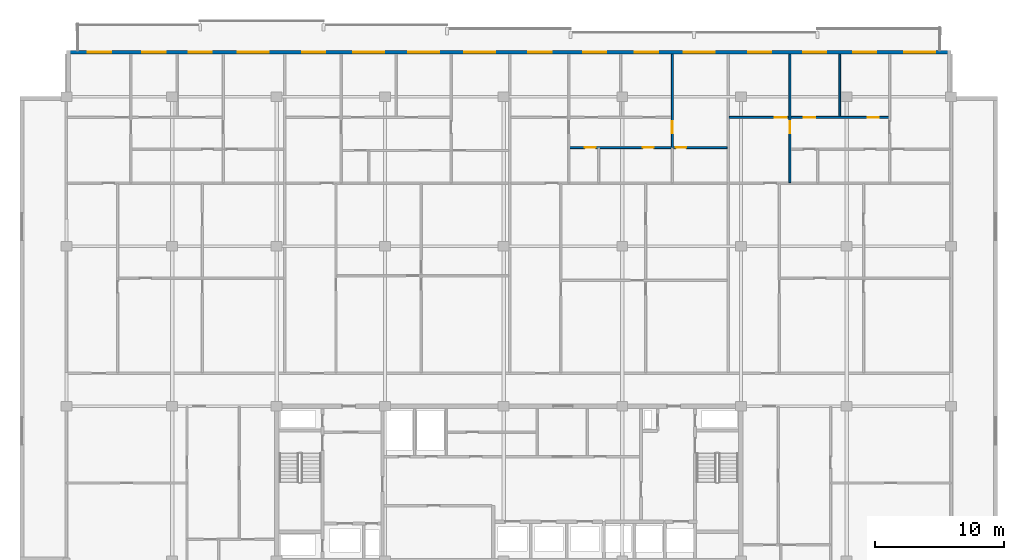
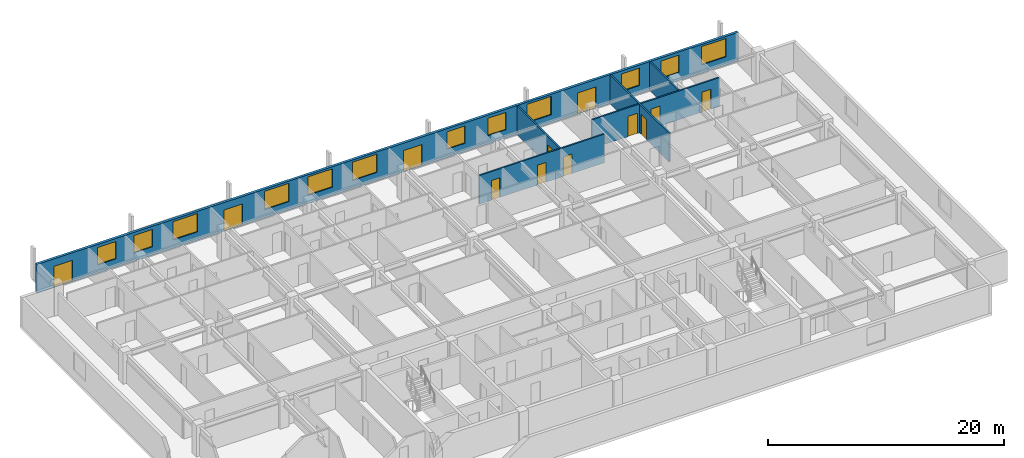
# One storey, part 16 of 23: 12 doors, 12 windows, 6 walls, 24 openings.
"""IFC4 building model written with IfcOpenShell, lengths in metres."""

import ifcopenshell
import ifcopenshell.guid

model = None  # the IFC model being written
_history = None  # IfcOwnerHistory: only IFC2X3 demands one
_inside = {}  # id of a spatial element -> (the spatial element, [elements in it])
_under = {}  # id of a project, library or spatial element -> (it, [spatial elements below it])
_declared = {}  # id of a project -> (the project, [libraries it declares])
_typed = {}  # id of a type object -> (the type object, [elements of that type])
_made_of = {}  # id of a material, layer set ... -> (it, [elements and type objects made of it])


def new_model(schema):
    """Start an empty IFC model of exactly this schema.

    Asked for "IFC4X3", IfcOpenShell would pick the latest addendum, in which some entities
    have other attributes; the version numbers below select the first issue.
    IFC2X3 requires an IfcOwnerHistory on every rooted entity: one is made here for all.
    """
    global model, _history
    if schema == "IFC4X3":
        model = ifcopenshell.file(schema_version=(4, 3, 0, 0))
    else:
        model = ifcopenshell.file(schema=schema)
    _inside.clear()
    _under.clear()
    _declared.clear()
    _typed.clear()
    _made_of.clear()
    _history = None
    if model.schema == "IFC2X3":
        org = make("IfcOrganization", Name="unknown")
        user = make(
            "IfcPersonAndOrganization",
            ThePerson=make("IfcPerson", FamilyName="unknown"),
            TheOrganization=org,
        )
        app = make(
            "IfcApplication",
            ApplicationDeveloper=org,
            Version="unknown",
            ApplicationFullName="unknown",
            ApplicationIdentifier="unknown",
        )
        _history = make(
            "IfcOwnerHistory",
            OwningUser=user,
            OwningApplication=app,
            ChangeAction="ADDED",
            CreationDate=0,
        )
    return model


def make(cls, **values):
    """One entity of the class cls with the attributes given. An attribute that is None is left unset."""
    return model.create_entity(
        cls, **{name: value for name, value in values.items() if value is not None}
    )


def rooted(cls, **values):
    """An entity with a GlobalId (a new one), such as an element, a storey or a relation."""
    return make(cls, GlobalId=ifcopenshell.guid.new(), OwnerHistory=_history, **values)


def si_unit(unit_type, name, prefix=None):
    """IfcSIUnit, for example si_unit("LENGTHUNIT", "METRE", prefix="MILLI")."""
    return make("IfcSIUnit", UnitType=unit_type, Prefix=prefix, Name=name)


def assignment(units):
    """IfcUnitAssignment: the units of a project."""
    return None if units is None else make("IfcUnitAssignment", Units=units)


def point(xyz):
    """IfcCartesianPoint."""
    return None if xyz is None else make("IfcCartesianPoint", Coordinates=xyz)


def direction(xyz):
    """IfcDirection."""
    return None if xyz is None else make("IfcDirection", DirectionRatios=xyz)


def frame(location, z_axis=None, x_axis=None):
    """IfcAxis2Placement3D, a coordinate frame: its origin and axes. An axis left out is left unset."""
    return make(
        "IfcAxis2Placement3D",
        Location=point(location),
        Axis=direction(z_axis),
        RefDirection=direction(x_axis),
    )


def frame_2d(location, x_axis=None):
    """IfcAxis2Placement2D, a coordinate frame in the plane: its origin and x axis."""
    return make(
        "IfcAxis2Placement2D", Location=point(location), RefDirection=direction(x_axis)
    )


def origin():
    """The frame at (0, 0, 0) with its axes left unset."""
    return frame((0.0, 0.0, 0.0))


def place(relative_to, where):
    """IfcLocalPlacement: puts the frame where relative to a parent placement (None: the world)."""
    return make(
        "IfcLocalPlacement", PlacementRelTo=relative_to, RelativePlacement=where
    )


def context(
    kind, dimensions, precision=None, world=None, true_north=None, identifier=None
):
    """IfcGeometricRepresentationContext, for example the 3D "Model" context."""
    return make(
        "IfcGeometricRepresentationContext",
        ContextIdentifier=identifier,
        ContextType=kind,
        CoordinateSpaceDimension=dimensions,
        Precision=precision,
        WorldCoordinateSystem=world,
        TrueNorth=true_north,
    )


def subcontext(parent, identifier, kind, view, scale=None):
    """IfcGeometricRepresentationSubContext, for example "Body" below "Model"."""
    return make(
        "IfcGeometricRepresentationSubContext",
        ContextIdentifier=identifier,
        ContextType=kind,
        ParentContext=parent,
        TargetScale=scale,
        TargetView=view,
    )


def project(units=None, contexts=None):
    """IfcProject with its units and contexts."""
    return rooted(
        "IfcProject",
        Name="project",
        RepresentationContexts=contexts,
        UnitsInContext=assignment(units),
    )


def spatial(cls, under=None, at=None, **own):
    """A site, building, storey or space (cls), placed at a placement, below another one or the project."""
    s = rooted(cls, ObjectPlacement=at, **own)
    if under is not None:
        _under.setdefault(under.id(), (under, []))[1].append(s)
    return s


def profile(cls, at=None, kind="AREA", **sizes):
    """A parametric profile (cls). Its sizes go by their IFC names, for example OverallWidth=200.0."""
    return make(cls, ProfileType=kind, Position=at, **sizes)


def rectangle(**sizes):
    """IfcRectangleProfileDef."""
    return profile("IfcRectangleProfileDef", **sizes)


def extrude(swept, where, along, depth):
    """IfcExtrudedAreaSolid: the profile swept, set in the frame where, extruded along a direction by depth."""
    return make(
        "IfcExtrudedAreaSolid",
        SweptArea=swept,
        Position=where,
        ExtrudedDirection=direction(along),
        Depth=depth,
    )


def shape(context_of_items, identifier, shape_type, items):
    """IfcShapeRepresentation: the items that make up one representation, for example the "Body"."""
    return make(
        "IfcShapeRepresentation",
        ContextOfItems=context_of_items,
        RepresentationIdentifier=identifier,
        RepresentationType=shape_type,
        Items=items,
    )


def material(Name=None, Category=None):
    """IfcMaterial."""
    return make("IfcMaterial", Name=Name, Category=Category)


def layer(
    of_material, thickness, ventilated=None, Name=None, Category=None, Priority=None
):
    """IfcMaterialLayer: one layer of a wall or slab, of a material (None: an air gap)."""
    return make(
        "IfcMaterialLayer",
        Material=of_material,
        LayerThickness=thickness,
        IsVentilated=ventilated,
        Name=Name,
        Category=Category,
        Priority=Priority,
    )


def layer_set(layers, Name=None):
    """IfcMaterialLayerSet."""
    return make("IfcMaterialLayerSet", MaterialLayers=layers, LayerSetName=Name)


def made_of(thing, what):
    """Note that an element or type object is made of a material, layer set ...; save() writes the relation."""
    if what is not None:
        _made_of.setdefault(what.id(), (what, []))[1].append(thing)
    return thing


def type_object(cls, material=None, **own):
    """A type object (cls), such as IfcWallType, which elements share."""
    return made_of(rooted(cls, **own), material)


def element(
    cls,
    number,
    at=None,
    inside=None,
    cuts=None,
    type_object=None,
    material=None,
    context=None,
    identifier="Body",
    shape_type=None,
    held_by="IfcProductDefinitionShape",
    body=None,
    shapes=None,
    **own,
):
    """One element of the class cls, such as IfcWall. Its Tag is "e" and its number.

    at: its placement. inside: the storey or other place that contains it. cuts: it is an
    opening in that element (IfcRelVoidsElement). A single representation is given by context,
    identifier, shape_type and body (its items); several are given by shapes. held_by: the class
    of the entity that holds the representations. save() writes the other relations.
    """
    e = rooted(cls, Tag="e%d" % number, ObjectPlacement=at, **own)
    if body is not None:
        shapes = [shape(context, identifier, shape_type, body)]
    if shapes is not None:
        e.Representation = make(held_by, Representations=shapes)
    if inside is not None:
        _inside.setdefault(inside.id(), (inside, []))[1].append(e)
    if cuts is not None:
        rooted(
            "IfcRelVoidsElement", RelatingBuildingElement=cuts, RelatedOpeningElement=e
        )
    if type_object is not None:
        _typed.setdefault(type_object.id(), (type_object, []))[1].append(e)
    return made_of(e, material)


def fill(opening, filler):
    """IfcRelFillsElement: the door or window that sits in an opening."""
    return rooted(
        "IfcRelFillsElement",
        RelatingOpeningElement=opening,
        RelatedBuildingElement=filler,
    )


def aggregate(whole, parts):
    """IfcRelAggregates: a whole, such as a stair, and the parts it consists of."""
    return rooted("IfcRelAggregates", RelatingObject=whole, RelatedObjects=parts)


def save(model, path):
    """Write the relations noted so far, then the file.

    IfcRelAggregates (storeys below a building ...), IfcRelContainedInSpatialStructure (elements
    in a storey), IfcRelDefinesByType, IfcRelAssociatesMaterial and IfcRelDeclares: one each for
    every whole, place, type object, material and project.
    """
    for whole, parts in _under.values():
        aggregate(whole, parts)
    for where, things in _inside.values():
        rooted(
            "IfcRelContainedInSpatialStructure",
            RelatedElements=things,
            RelatingStructure=where,
        )
    for kind, things in _typed.values():
        rooted("IfcRelDefinesByType", RelatedObjects=things, RelatingType=kind)
    for what, things in _made_of.values():
        rooted("IfcRelAssociatesMaterial", RelatedObjects=things, RelatingMaterial=what)
    for by, libraries in _declared.values():
        rooted("IfcRelDeclares", RelatingContext=by, RelatedDefinitions=libraries)
    model.write(path)


model = new_model("IFC4")

# Units and contexts
model_context = context("Model", 3, precision=1e-05, world=origin(), true_north=direction((0.0, 1.0)))
body_context = subcontext(model_context, "Body", "Model", "MODEL_VIEW")
ifc_project = project(units=[si_unit("LENGTHUNIT", "METRE"), si_unit("AREAUNIT", "SQUARE_METRE"), si_unit("VOLUMEUNIT", "CUBIC_METRE"), si_unit("PLANEANGLEUNIT", "RADIAN"), si_unit("MASSUNIT", "GRAM", prefix="KILO")], contexts=[model_context])

# Site, building, storey
site_placement = place(None, origin())
site = spatial("IfcSite", under=ifc_project, at=site_placement, CompositionType="ELEMENT")
building_placement = place(site_placement, origin())
building = spatial("IfcBuilding", under=site, at=building_placement, Name="Korimba Cascade Residences", CompositionType="ELEMENT")
storey_placement = place(building_placement, frame((0.0, 0.0, 165.35009765625)))
storey = spatial("IfcBuildingStorey", under=building, at=storey_placement, Name="L47", CompositionType="ELEMENT", Elevation=165.35009765625)

# Wall, openings, doors, windows
ifc_material_1 = material(Name="Precast concrete C40/50", Category="concrete")
ifc_layer_1 = layer(ifc_material_1, 0.25)
ifc_layer_set_1 = layer_set([ifc_layer_1], Name="Precast concrete C40/50")
wall_type_1 = type_object("IfcWallType", Name="EW-LOG-250", PredefinedType="STANDARD", material=ifc_layer_set_1)
wall_1_placement = place(storey_placement, frame((128.39990234375, 94.64990234375, 0.0), z_axis=(0.0, 0.0, 1.0), x_axis=(-1.0, 0.0, 0.0)))
wall_1 = element("IfcWall", 1, at=wall_1_placement, inside=storey, type_object=wall_type_1, Name="L47 T1 Perimeter Stone Wall E06", PredefinedType="STANDARD", context=body_context, shape_type="SweptSolid", body=[
    extrude(rectangle(XDim=68.599853515625, YDim=0.25, at=frame_2d((34.2998046875, 0.0))), origin(), (0.0, 0.0, 1.0), 2.969970703125),
])
opening_1_placement = place(wall_1_placement, frame((60.90869140625, 0.0, 0.85009765625)))
opening_1 = element("IfcOpeningElement", 2, at=opening_1_placement, cuts=wall_1, Name="Opening W-02", PredefinedType="OPENING", context=body_context, shape_type="SweptSolid", body=[
    extrude(rectangle(XDim=1.800048828125, YDim=1.800048828125, at=frame_2d((0.89990234375, 0.89990234375))), frame((0.0, 0.135009765625, 0.0), z_axis=(0.0, -1.0, 0.0), x_axis=(1.0, 0.0, 0.0)), (0.0, 0.0, 1.0), 0.27001953125),
])
opening_2_placement = place(wall_1_placement, frame((57.326171875, 0.0, 0.85009765625)))
opening_2 = element("IfcOpeningElement", 3, at=opening_2_placement, cuts=wall_1, Name="Opening W-02", PredefinedType="OPENING", context=body_context, shape_type="SweptSolid", body=[
    extrude(rectangle(XDim=1.800048828125, YDim=1.800048828125, at=frame_2d((0.89990234375, 0.89990234375))), frame((0.0, 0.135009765625, 0.0), z_axis=(0.0, -1.0, 0.0), x_axis=(1.0, 0.0, 0.0)), (0.0, 0.0, 1.0), 0.27001953125),
])
opening_3_placement = place(wall_1_placement, frame((65.139892578125, 0.0, 0.0)))
opening_3 = element("IfcOpeningElement", 4, at=opening_3_placement, cuts=wall_1, Name="Opening D-LG1", PredefinedType="OPENING", context=body_context, shape_type="SweptSolid", body=[
    extrude(rectangle(XDim=1.800048828125, YDim=2.199951171875, at=frame_2d((0.89990234375, 1.10009765625))), frame((0.0, 0.135009765625, 0.0), z_axis=(0.0, -1.0, 0.0), x_axis=(1.0, 0.0, 0.0)), (0.0, 0.0, 1.0), 0.27001953125),
])
opening_4_placement = place(wall_1_placement, frame((52.909912109375, 0.0, 0.85009765625)))
opening_4 = element("IfcOpeningElement", 5, at=opening_4_placement, cuts=wall_1, Name="Opening W-01", PredefinedType="OPENING", context=body_context, shape_type="SweptSolid", body=[
    extrude(rectangle(XDim=2.39990234375, YDim=1.89990234375, at=frame_2d((1.199951171875, 0.949951171875))), frame((0.0, 0.135009765625, 0.0), z_axis=(0.0, -1.0, 0.0), x_axis=(1.0, 0.0, 0.0)), (0.0, 0.0, 1.0), 0.27001953125),
])
opening_5_placement = place(wall_1_placement, frame((43.96484375, 0.0, 0.85009765625)))
opening_5 = element("IfcOpeningElement", 6, at=opening_5_placement, cuts=wall_1, Name="Opening W-01", PredefinedType="OPENING", context=body_context, shape_type="SweptSolid", body=[
    extrude(rectangle(XDim=2.39990234375, YDim=1.89990234375, at=frame_2d((1.199951171875, 0.949951171875))), frame((0.0, 0.135009765625, 0.0), z_axis=(0.0, -1.0, 0.0), x_axis=(1.0, 0.0, 0.0)), (0.0, 0.0, 1.0), 0.27001953125),
])
opening_6_placement = place(wall_1_placement, frame((39.705078125, 0.0, 0.85009765625)))
opening_6 = element("IfcOpeningElement", 7, at=opening_6_placement, cuts=wall_1, Name="Opening W-01", PredefinedType="OPENING", context=body_context, shape_type="SweptSolid", body=[
    extrude(rectangle(XDim=2.39990234375, YDim=1.89990234375, at=frame_2d((1.199951171875, 0.949951171875))), frame((0.0, 0.135009765625, 0.0), z_axis=(0.0, -1.0, 0.0), x_axis=(1.0, 0.0, 0.0)), (0.0, 0.0, 1.0), 0.27001953125),
])
opening_7_placement = place(wall_1_placement, frame((48.52001953125, 0.0, 0.0)))
opening_7 = element("IfcOpeningElement", 8, at=opening_7_placement, cuts=wall_1, Name="Opening D-LG1", PredefinedType="OPENING", context=body_context, shape_type="SweptSolid", body=[
    extrude(rectangle(XDim=1.800048828125, YDim=2.199951171875, at=frame_2d((0.89990234375, 1.10009765625))), frame((0.0, 0.135009765625, 0.0), z_axis=(0.0, -1.0, 0.0), x_axis=(1.0, 0.0, 0.0)), (0.0, 0.0, 1.0), 0.27001953125),
])
opening_8_placement = place(wall_1_placement, frame((35.360107421875, 0.0, 0.85009765625)))
opening_8 = element("IfcOpeningElement", 9, at=opening_8_placement, cuts=wall_1, Name="Opening W-01", PredefinedType="OPENING", context=body_context, shape_type="SweptSolid", body=[
    extrude(rectangle(XDim=2.39990234375, YDim=1.89990234375, at=frame_2d((1.199951171875, 0.949951171875))), frame((0.0, 0.135009765625, 0.0), z_axis=(0.0, -1.0, 0.0), x_axis=(1.0, 0.0, 0.0)), (0.0, 0.0, 1.0), 0.27001953125),
])
opening_9_placement = place(wall_1_placement, frame((26.73876953125, 0.0, 0.85009765625)))
opening_9 = element("IfcOpeningElement", 10, at=opening_9_placement, cuts=wall_1, Name="Opening W-02", PredefinedType="OPENING", context=body_context, shape_type="SweptSolid", body=[
    extrude(rectangle(XDim=1.800048828125, YDim=1.800048828125, at=frame_2d((0.89990234375, 0.89990234375))), frame((0.0, 0.135009765625, 0.0), z_axis=(0.0, -1.0, 0.0), x_axis=(1.0, 0.0, 0.0)), (0.0, 0.0, 1.0), 0.27001953125),
])
opening_10_placement = place(wall_1_placement, frame((22.726318359375, 0.0, 0.85009765625)))
opening_10 = element("IfcOpeningElement", 11, at=opening_10_placement, cuts=wall_1, Name="Opening W-02", PredefinedType="OPENING", context=body_context, shape_type="SweptSolid", body=[
    extrude(rectangle(XDim=1.800048828125, YDim=1.800048828125, at=frame_2d((0.89990234375, 0.89990234375))), frame((0.0, 0.135009765625, 0.0), z_axis=(0.0, -1.0, 0.0), x_axis=(1.0, 0.0, 0.0)), (0.0, 0.0, 1.0), 0.27001953125),
])
opening_11_placement = place(wall_1_placement, frame((30.97509765625, 0.0, 0.0)))
opening_11 = element("IfcOpeningElement", 12, at=opening_11_placement, cuts=wall_1, Name="Opening D-LG1", PredefinedType="OPENING", context=body_context, shape_type="SweptSolid", body=[
    extrude(rectangle(XDim=1.800048828125, YDim=2.199951171875, at=frame_2d((0.89990234375, 1.10009765625))), frame((0.0, 0.135009765625, 0.0), z_axis=(0.0, -1.0, 0.0), x_axis=(1.0, 0.0, 0.0)), (0.0, 0.0, 1.0), 0.27001953125),
])
opening_12_placement = place(wall_1_placement, frame((18.31494140625, 0.0, 0.85009765625)))
opening_12 = element("IfcOpeningElement", 13, at=opening_12_placement, cuts=wall_1, Name="Opening W-01", PredefinedType="OPENING", context=body_context, shape_type="SweptSolid", body=[
    extrude(rectangle(XDim=2.39990234375, YDim=1.89990234375, at=frame_2d((1.199951171875, 0.949951171875))), frame((0.0, 0.135009765625, 0.0), z_axis=(0.0, -1.0, 0.0), x_axis=(1.0, 0.0, 0.0)), (0.0, 0.0, 1.0), 0.27001953125),
])
opening_13_placement = place(wall_1_placement, frame((9.66748046875, 0.0, 0.85009765625)))
opening_13 = element("IfcOpeningElement", 14, at=opening_13_placement, cuts=wall_1, Name="Opening W-02", PredefinedType="OPENING", context=body_context, shape_type="SweptSolid", body=[
    extrude(rectangle(XDim=1.800048828125, YDim=1.800048828125, at=frame_2d((0.89990234375, 0.89990234375))), frame((0.0, 0.135009765625, 0.0), z_axis=(0.0, -1.0, 0.0), x_axis=(1.0, 0.0, 0.0)), (0.0, 0.0, 1.0), 0.27001953125),
])
opening_14_placement = place(wall_1_placement, frame((5.802490234375, 0.0, 0.85009765625)))
opening_14 = element("IfcOpeningElement", 15, at=opening_14_placement, cuts=wall_1, Name="Opening W-02", PredefinedType="OPENING", context=body_context, shape_type="SweptSolid", body=[
    extrude(rectangle(XDim=1.800048828125, YDim=1.800048828125, at=frame_2d((0.89990234375, 0.89990234375))), frame((0.0, 0.135009765625, 0.0), z_axis=(0.0, -1.0, 0.0), x_axis=(1.0, 0.0, 0.0)), (0.0, 0.0, 1.0), 0.27001953125),
])
opening_15_placement = place(wall_1_placement, frame((13.934814453125, 0.0, 0.0)))
opening_15 = element("IfcOpeningElement", 16, at=opening_15_placement, cuts=wall_1, Name="Opening D-LG1", PredefinedType="OPENING", context=body_context, shape_type="SweptSolid", body=[
    extrude(rectangle(XDim=1.800048828125, YDim=2.199951171875, at=frame_2d((0.89990234375, 1.10009765625))), frame((0.0, 0.135009765625, 0.0), z_axis=(0.0, -1.0, 0.0), x_axis=(1.0, 0.0, 0.0)), (0.0, 0.0, 1.0), 0.27001953125),
])
opening_16_placement = place(wall_1_placement, frame((1.2451171875, 0.0, 0.85009765625)))
opening_16 = element("IfcOpeningElement", 17, at=opening_16_placement, cuts=wall_1, Name="Opening W-01", PredefinedType="OPENING", context=body_context, shape_type="SweptSolid", body=[
    extrude(rectangle(XDim=2.39990234375, YDim=1.89990234375, at=frame_2d((1.199951171875, 0.949951171875))), frame((0.0, 0.135009765625, 0.0), z_axis=(0.0, -1.0, 0.0), x_axis=(1.0, 0.0, 0.0)), (0.0, 0.0, 1.0), 0.27001953125),
])
ifc_material_2 = material(Name="Glazed Aluminium Loggia Sliding Door", Category="aluminium")
door_type_1 = type_object("IfcDoorType", Name="DR-EXT-LOG", OperationType="NOTDEFINED", PredefinedType="DOOR", material=ifc_material_2)
door_1_placement = place(opening_3_placement, origin())
door_1 = element("IfcDoor", 18, at=door_1_placement, inside=storey, type_object=door_type_1, Name="L47 T1 Loggia Sliding Door 5", OperationType="SLIDING_TO_LEFT", OverallHeight=2.199951171875, OverallWidth=1.800048828125, PredefinedType="DOOR", context=body_context, shape_type="SweptSolid", body=[
    extrude(rectangle(XDim=1.800048828125, YDim=2.199951171875, at=frame_2d((0.89990234375, 1.10009765625))), frame((0.0, 0.02490234375, 0.0), z_axis=(0.0, -1.0, 0.0), x_axis=(1.0, 0.0, 0.0)), (0.0, 0.0, 1.0), 0.050048828125),
])
fill(opening_3, door_1)
door_2_placement = place(opening_7_placement, origin())
door_2 = element("IfcDoor", 19, at=door_2_placement, inside=storey, type_object=door_type_1, Name="L47 T1 Loggia Sliding Door 9", OperationType="SLIDING_TO_LEFT", OverallHeight=2.199951171875, OverallWidth=1.800048828125, PredefinedType="DOOR", context=body_context, shape_type="SweptSolid", body=[
    extrude(rectangle(XDim=1.800048828125, YDim=2.199951171875, at=frame_2d((0.89990234375, 1.10009765625))), frame((0.0, 0.02490234375, 0.0), z_axis=(0.0, -1.0, 0.0), x_axis=(1.0, 0.0, 0.0)), (0.0, 0.0, 1.0), 0.050048828125),
])
fill(opening_7, door_2)
door_3_placement = place(opening_11_placement, origin())
door_3 = element("IfcDoor", 20, at=door_3_placement, inside=storey, type_object=door_type_1, Name="L47 T1 Loggia Sliding Door 13", OperationType="SLIDING_TO_LEFT", OverallHeight=2.199951171875, OverallWidth=1.800048828125, PredefinedType="DOOR", context=body_context, shape_type="SweptSolid", body=[
    extrude(rectangle(XDim=1.800048828125, YDim=2.199951171875, at=frame_2d((0.89990234375, 1.10009765625))), frame((0.0, 0.02490234375, 0.0), z_axis=(0.0, -1.0, 0.0), x_axis=(1.0, 0.0, 0.0)), (0.0, 0.0, 1.0), 0.050048828125),
])
fill(opening_11, door_3)
door_4_placement = place(opening_15_placement, origin())
door_4 = element("IfcDoor", 21, at=door_4_placement, inside=storey, type_object=door_type_1, Name="L47 T1 Loggia Sliding Door 17", OperationType="SLIDING_TO_LEFT", OverallHeight=2.199951171875, OverallWidth=1.800048828125, PredefinedType="DOOR", context=body_context, shape_type="SweptSolid", body=[
    extrude(rectangle(XDim=1.800048828125, YDim=2.199951171875, at=frame_2d((0.89990234375, 1.10009765625))), frame((0.0, 0.02490234375, 0.0), z_axis=(0.0, -1.0, 0.0), x_axis=(1.0, 0.0, 0.0)), (0.0, 0.0, 1.0), 0.050048828125),
])
fill(opening_15, door_4)
ifc_material_3 = material(Name="Double-Glazed Aluminium Window", Category="aluminium")
window_type_1 = type_object("IfcWindowType", Name="WIN-BED-1800", PartitioningType="SINGLE_PANEL", PredefinedType="WINDOW", material=ifc_material_3)
window_1_placement = place(opening_1_placement, origin())
window_1 = element("IfcWindow", 22, at=window_1_placement, inside=storey, type_object=window_type_1, Name="L47 T1 North Facade Window 3", OverallHeight=1.800048828125, OverallWidth=1.800048828125, PartitioningType="SINGLE_PANEL", PredefinedType="WINDOW", context=body_context, shape_type="SweptSolid", body=[
    extrude(rectangle(XDim=1.800048828125, YDim=1.800048828125, at=frame_2d((0.89990234375, 0.89990234375))), frame((0.0, 0.030029296875, 0.0), z_axis=(0.0, -1.0, 0.0), x_axis=(1.0, 0.0, 0.0)), (0.0, 0.0, 1.0), 0.06005859375),
])
fill(opening_1, window_1)
window_2_placement = place(opening_2_placement, origin())
window_2 = element("IfcWindow", 23, at=window_2_placement, inside=storey, type_object=window_type_1, Name="L47 T1 North Facade Window 4", OverallHeight=1.800048828125, OverallWidth=1.800048828125, PartitioningType="SINGLE_PANEL", PredefinedType="WINDOW", context=body_context, shape_type="SweptSolid", body=[
    extrude(rectangle(XDim=1.800048828125, YDim=1.800048828125, at=frame_2d((0.89990234375, 0.89990234375))), frame((0.0, 0.030029296875, 0.0), z_axis=(0.0, -1.0, 0.0), x_axis=(1.0, 0.0, 0.0)), (0.0, 0.0, 1.0), 0.06005859375),
])
fill(opening_2, window_2)
window_3_placement = place(opening_9_placement, origin())
window_3 = element("IfcWindow", 24, at=window_3_placement, inside=storey, type_object=window_type_1, Name="L47 T1 North Facade Window 11", OverallHeight=1.800048828125, OverallWidth=1.800048828125, PartitioningType="SINGLE_PANEL", PredefinedType="WINDOW", context=body_context, shape_type="SweptSolid", body=[
    extrude(rectangle(XDim=1.800048828125, YDim=1.800048828125, at=frame_2d((0.89990234375, 0.89990234375))), frame((0.0, 0.030029296875, 0.0), z_axis=(0.0, -1.0, 0.0), x_axis=(1.0, 0.0, 0.0)), (0.0, 0.0, 1.0), 0.06005859375),
])
fill(opening_9, window_3)
window_4_placement = place(opening_10_placement, origin())
window_4 = element("IfcWindow", 25, at=window_4_placement, inside=storey, type_object=window_type_1, Name="L47 T1 North Facade Window 12", OverallHeight=1.800048828125, OverallWidth=1.800048828125, PartitioningType="SINGLE_PANEL", PredefinedType="WINDOW", context=body_context, shape_type="SweptSolid", body=[
    extrude(rectangle(XDim=1.800048828125, YDim=1.800048828125, at=frame_2d((0.89990234375, 0.89990234375))), frame((0.0, 0.030029296875, 0.0), z_axis=(0.0, -1.0, 0.0), x_axis=(1.0, 0.0, 0.0)), (0.0, 0.0, 1.0), 0.06005859375),
])
fill(opening_10, window_4)
window_5_placement = place(opening_13_placement, origin())
window_5 = element("IfcWindow", 26, at=window_5_placement, inside=storey, type_object=window_type_1, Name="L47 T1 North Facade Window 15", OverallHeight=1.800048828125, OverallWidth=1.800048828125, PartitioningType="SINGLE_PANEL", PredefinedType="WINDOW", context=body_context, shape_type="SweptSolid", body=[
    extrude(rectangle(XDim=1.800048828125, YDim=1.800048828125, at=frame_2d((0.89990234375, 0.89990234375))), frame((0.0, 0.030029296875, 0.0), z_axis=(0.0, -1.0, 0.0), x_axis=(1.0, 0.0, 0.0)), (0.0, 0.0, 1.0), 0.06005859375),
])
fill(opening_13, window_5)
window_6_placement = place(opening_14_placement, origin())
window_6 = element("IfcWindow", 27, at=window_6_placement, inside=storey, type_object=window_type_1, Name="L47 T1 North Facade Window 16", OverallHeight=1.800048828125, OverallWidth=1.800048828125, PartitioningType="SINGLE_PANEL", PredefinedType="WINDOW", context=body_context, shape_type="SweptSolid", body=[
    extrude(rectangle(XDim=1.800048828125, YDim=1.800048828125, at=frame_2d((0.89990234375, 0.89990234375))), frame((0.0, 0.030029296875, 0.0), z_axis=(0.0, -1.0, 0.0), x_axis=(1.0, 0.0, 0.0)), (0.0, 0.0, 1.0), 0.06005859375),
])
fill(opening_14, window_6)
window_type_2 = type_object("IfcWindowType", Name="WIN-RES-2400", PartitioningType="DOUBLE_PANEL_VERTICAL", PredefinedType="WINDOW", material=ifc_material_3)
window_7_placement = place(opening_4_placement, origin())
window_7 = element("IfcWindow", 28, at=window_7_placement, inside=storey, type_object=window_type_2, Name="L47 T1 North Facade Window 6", OverallHeight=1.89990234375, OverallWidth=2.39990234375, PartitioningType="DOUBLE_PANEL_VERTICAL", PredefinedType="WINDOW", context=body_context, shape_type="SweptSolid", body=[
    extrude(rectangle(XDim=2.39990234375, YDim=1.89990234375, at=frame_2d((1.199951171875, 0.949951171875))), frame((0.0, 0.030029296875, 0.0), z_axis=(0.0, -1.0, 0.0), x_axis=(1.0, 0.0, 0.0)), (0.0, 0.0, 1.0), 0.06005859375),
])
fill(opening_4, window_7)
window_8_placement = place(opening_5_placement, origin())
window_8 = element("IfcWindow", 29, at=window_8_placement, inside=storey, type_object=window_type_2, Name="L47 T1 North Facade Window 7", OverallHeight=1.89990234375, OverallWidth=2.39990234375, PartitioningType="DOUBLE_PANEL_VERTICAL", PredefinedType="WINDOW", context=body_context, shape_type="SweptSolid", body=[
    extrude(rectangle(XDim=2.39990234375, YDim=1.89990234375, at=frame_2d((1.199951171875, 0.949951171875))), frame((0.0, 0.030029296875, 0.0), z_axis=(0.0, -1.0, 0.0), x_axis=(1.0, 0.0, 0.0)), (0.0, 0.0, 1.0), 0.06005859375),
])
fill(opening_5, window_8)
window_9_placement = place(opening_6_placement, origin())
window_9 = element("IfcWindow", 30, at=window_9_placement, inside=storey, type_object=window_type_2, Name="L47 T1 North Facade Window 8", OverallHeight=1.89990234375, OverallWidth=2.39990234375, PartitioningType="DOUBLE_PANEL_VERTICAL", PredefinedType="WINDOW", context=body_context, shape_type="SweptSolid", body=[
    extrude(rectangle(XDim=2.39990234375, YDim=1.89990234375, at=frame_2d((1.199951171875, 0.949951171875))), frame((0.0, 0.030029296875, 0.0), z_axis=(0.0, -1.0, 0.0), x_axis=(1.0, 0.0, 0.0)), (0.0, 0.0, 1.0), 0.06005859375),
])
fill(opening_6, window_9)
window_10_placement = place(opening_8_placement, origin())
window_10 = element("IfcWindow", 31, at=window_10_placement, inside=storey, type_object=window_type_2, Name="L47 T1 North Facade Window 10", OverallHeight=1.89990234375, OverallWidth=2.39990234375, PartitioningType="DOUBLE_PANEL_VERTICAL", PredefinedType="WINDOW", context=body_context, shape_type="SweptSolid", body=[
    extrude(rectangle(XDim=2.39990234375, YDim=1.89990234375, at=frame_2d((1.199951171875, 0.949951171875))), frame((0.0, 0.030029296875, 0.0), z_axis=(0.0, -1.0, 0.0), x_axis=(1.0, 0.0, 0.0)), (0.0, 0.0, 1.0), 0.06005859375),
])
fill(opening_8, window_10)
window_11_placement = place(opening_12_placement, origin())
window_11 = element("IfcWindow", 32, at=window_11_placement, inside=storey, type_object=window_type_2, Name="L47 T1 North Facade Window 14", OverallHeight=1.89990234375, OverallWidth=2.39990234375, PartitioningType="DOUBLE_PANEL_VERTICAL", PredefinedType="WINDOW", context=body_context, shape_type="SweptSolid", body=[
    extrude(rectangle(XDim=2.39990234375, YDim=1.89990234375, at=frame_2d((1.199951171875, 0.949951171875))), frame((0.0, 0.030029296875, 0.0), z_axis=(0.0, -1.0, 0.0), x_axis=(1.0, 0.0, 0.0)), (0.0, 0.0, 1.0), 0.06005859375),
])
fill(opening_12, window_11)
window_12_placement = place(opening_16_placement, origin())
window_12 = element("IfcWindow", 33, at=window_12_placement, inside=storey, type_object=window_type_2, Name="L47 T1 North Facade Window 18", OverallHeight=1.89990234375, OverallWidth=2.39990234375, PartitioningType="DOUBLE_PANEL_VERTICAL", PredefinedType="WINDOW", context=body_context, shape_type="SweptSolid", body=[
    extrude(rectangle(XDim=2.39990234375, YDim=1.89990234375, at=frame_2d((1.199951171875, 0.949951171875))), frame((0.0, 0.030029296875, 0.0), z_axis=(0.0, -1.0, 0.0), x_axis=(1.0, 0.0, 0.0)), (0.0, 0.0, 1.0), 0.06005859375),
])
fill(opening_16, window_12)

# Wall, opening, door
ifc_material_4 = material(Name="Insulated Acoustic Stud Partition", Category="gypsum")
ifc_layer_2 = layer(ifc_material_4, 0.14990234375)
ifc_layer_set_2 = layer_set([ifc_layer_2], Name="Insulated Acoustic Stud Partition")
wall_type_2 = type_object("IfcWallType", Name="WAL-PART-150", PredefinedType="PARTITIONING", material=ifc_layer_set_2)
wall_2_placement = place(storey_placement, frame((106.780029296875, 87.27001953125, 0.0), z_axis=(0.0, 0.0, 1.0), x_axis=(0.0, 1.0, 0.0)))
wall_2 = element("IfcWall", 34, at=wall_2_placement, inside=storey, type_object=wall_type_2, Name="L47 Partition Wall WAL-L47-T1-U03-V2FULL", PredefinedType="PARTITIONING", context=body_context, shape_type="SweptSolid", body=[
    extrude(rectangle(XDim=7.22998046875, YDim=0.14990234375, at=frame_2d((3.614990234375, 0.0))), origin(), (0.0, 0.0, 1.0), 2.969970703125),
])
opening_17_placement = place(wall_2_placement, frame((1.090087890625, 0.0, 0.0)))
opening_17 = element("IfcOpeningElement", 35, at=opening_17_placement, cuts=wall_2, Name="Opening D-IN1", PredefinedType="OPENING", context=body_context, shape_type="SweptSolid", body=[
    extrude(rectangle(XDim=0.919921875, YDim=2.080078125, at=frame_2d((0.4599609375, 1.0400390625))), frame((0.0, 0.0849609375, 0.0), z_axis=(0.0, -1.0, 0.0), x_axis=(1.0, 0.0, 0.0)), (0.0, 0.0, 1.0), 0.169921875),
])
ifc_material_5 = material(Name="Acoustic Timber Living Door", Category="wood")
door_type_2 = type_object("IfcDoorType", Name="DR-INT-920", OperationType="NOTDEFINED", PredefinedType="DOOR", material=ifc_material_5)
door_5_placement = place(opening_17_placement, origin())
door_5 = element("IfcDoor", 36, at=door_5_placement, inside=storey, type_object=door_type_2, Name="L47-T1-U03 Master Bedroom Door", OperationType="SINGLE_SWING_LEFT", OverallHeight=2.080078125, OverallWidth=0.919921875, PredefinedType="DOOR", context=body_context, shape_type="SweptSolid", body=[
    extrude(rectangle(XDim=0.919921875, YDim=2.080078125, at=frame_2d((0.4599609375, 1.0400390625))), frame((0.0, 0.02490234375, 0.0), z_axis=(0.0, -1.0, 0.0), x_axis=(1.0, 0.0, 0.0)), (0.0, 0.0, 1.0), 0.050048828125),
])
fill(opening_17, door_5)

# Wall, openings, doors
wall_3_placement = place(storey_placement, frame((98.794921875, 87.25, 0.0), z_axis=(0.0, 0.0, 1.0), x_axis=(1.0, 0.0, 0.0)))
wall_3 = element("IfcWall", 37, at=wall_3_placement, inside=storey, type_object=wall_type_2, Name="L47 Partition Wall WAL-L47-T1-U03-HWALL", PredefinedType="PARTITIONING", context=body_context, shape_type="SweptSolid", body=[
    extrude(rectangle(XDim=12.235107421875, YDim=0.14990234375, at=frame_2d((6.11767578125, 0.0))), origin(), (0.0, 0.0, 1.0), 2.969970703125),
])
opening_18_placement = place(wall_3_placement, frame((1.19091796875, 0.0, 0.0)))
opening_18 = element("IfcOpeningElement", 38, at=opening_18_placement, cuts=wall_3, Name="Opening D-BT1", PredefinedType="OPENING", context=body_context, shape_type="SweptSolid", body=[
    extrude(rectangle(XDim=0.840087890625, YDim=2.0400390625, at=frame_2d((0.419921875, 1.02001953125))), frame((0.0, 0.0849609375, 0.0), z_axis=(0.0, -1.0, 0.0), x_axis=(1.0, 0.0, 0.0)), (0.0, 0.0, 1.0), 0.169921875),
])
opening_19_placement = place(wall_3_placement, frame((5.697509765625, 0.0, 0.0)))
opening_19 = element("IfcOpeningElement", 39, at=opening_19_placement, cuts=wall_3, Name="Opening D-BT1", PredefinedType="OPENING", context=body_context, shape_type="SweptSolid", body=[
    extrude(rectangle(XDim=0.840087890625, YDim=2.0400390625, at=frame_2d((0.419921875, 1.02001953125))), frame((0.0, 0.0849609375, 0.0), z_axis=(0.0, -1.0, 0.0), x_axis=(1.0, 0.0, 0.0)), (0.0, 0.0, 1.0), 0.169921875),
])
opening_20_placement = place(wall_3_placement, frame((8.235107421875, 0.0, 0.0)))
opening_20 = element("IfcOpeningElement", 40, at=opening_20_placement, cuts=wall_3, Name="Opening D-BT1", PredefinedType="OPENING", context=body_context, shape_type="SweptSolid", body=[
    extrude(rectangle(XDim=0.840087890625, YDim=2.0400390625, at=frame_2d((0.419921875, 1.02001953125))), frame((0.0, 0.0849609375, 0.0), z_axis=(0.0, -1.0, 0.0), x_axis=(1.0, 0.0, 0.0)), (0.0, 0.0, 1.0), 0.169921875),
])
ifc_material_6 = material(Name="Moisture-Resistant Bathroom Timber Door", Category="wood")
door_type_3 = type_object("IfcDoorType", Name="DR-INT-850", OperationType="NOTDEFINED", PredefinedType="DOOR", material=ifc_material_6)
door_6_placement = place(opening_18_placement, origin())
door_6 = element("IfcDoor", 41, at=door_6_placement, inside=storey, type_object=door_type_3, Name="L47-T1-U03 Family Bathroom Door", OperationType="SINGLE_SWING_RIGHT", OverallHeight=2.0400390625, OverallWidth=0.840087890625, PredefinedType="DOOR", context=body_context, shape_type="SweptSolid", body=[
    extrude(rectangle(XDim=0.840087890625, YDim=2.0400390625, at=frame_2d((0.419921875, 1.02001953125))), frame((0.0, 0.02490234375, 0.0), z_axis=(0.0, -1.0, 0.0), x_axis=(1.0, 0.0, 0.0)), (0.0, 0.0, 1.0), 0.050048828125),
])
fill(opening_18, door_6)
door_7_placement = place(opening_19_placement, origin())
door_7 = element("IfcDoor", 42, at=door_7_placement, inside=storey, type_object=door_type_3, Name="L47-T1-U03 Dressing Room Door", OperationType="SINGLE_SWING_LEFT", OverallHeight=2.0400390625, OverallWidth=0.840087890625, PredefinedType="DOOR", context=body_context, shape_type="SweptSolid", body=[
    extrude(rectangle(XDim=0.840087890625, YDim=2.0400390625, at=frame_2d((0.419921875, 1.02001953125))), frame((0.0, 0.02490234375, 0.0), z_axis=(0.0, -1.0, 0.0), x_axis=(1.0, 0.0, 0.0)), (0.0, 0.0, 1.0), 0.050048828125),
])
fill(opening_19, door_7)
door_8_placement = place(opening_20_placement, origin())
door_8 = element("IfcDoor", 43, at=door_8_placement, inside=storey, type_object=door_type_3, Name="L47-T1-U03 En-Suite Door", OperationType="SINGLE_SWING_RIGHT", OverallHeight=2.0400390625, OverallWidth=0.840087890625, PredefinedType="DOOR", context=body_context, shape_type="SweptSolid", body=[
    extrude(rectangle(XDim=0.840087890625, YDim=2.0400390625, at=frame_2d((0.419921875, 1.02001953125))), frame((0.0, 0.02490234375, 0.0), z_axis=(0.0, -1.0, 0.0), x_axis=(1.0, 0.0, 0.0)), (0.0, 0.0, 1.0), 0.050048828125),
])
fill(opening_20, door_8)

# Wall
wall_4_placement = place(storey_placement, frame((119.76513671875, 89.679931640625, 0.0), z_axis=(0.0, 0.0, 1.0), x_axis=(0.0, 1.0, 0.0)))
element("IfcWall", 44, at=wall_4_placement, inside=storey, type_object=wall_type_2, Name="L47 Partition Wall WAL-L47-T1-U04-VB3", PredefinedType="PARTITIONING", context=body_context, shape_type="SweptSolid", body=[
    extrude(rectangle(XDim=4.820068359375, YDim=0.14990234375, at=frame_2d((2.41015625, 0.0))), origin(), (0.0, 0.0, 1.0), 2.969970703125),
])

# Wall, opening, door
wall_5_placement = place(storey_placement, frame((115.900146484375, 84.5400390625, 0.0), z_axis=(0.0, 0.0, 1.0), x_axis=(0.0, 1.0, 0.0)))
wall_5 = element("IfcWall", 45, at=wall_5_placement, inside=storey, type_object=wall_type_2, Name="L47 Partition Wall WAL-L47-T1-U04-V1", PredefinedType="PARTITIONING", context=body_context, shape_type="SweptSolid", body=[
    extrude(rectangle(XDim=9.9599609375, YDim=0.14990234375, at=frame_2d((4.97998046875, 0.0))), origin(), (0.0, 0.0, 1.0), 2.969970703125),
])
opening_21_placement = place(wall_5_placement, frame((3.820068359375, 0.0, 0.0)))
opening_21 = element("IfcOpeningElement", 46, at=opening_21_placement, cuts=wall_5, Name="Opening D-IN1", PredefinedType="OPENING", context=body_context, shape_type="SweptSolid", body=[
    extrude(rectangle(XDim=0.919921875, YDim=2.080078125, at=frame_2d((0.4599609375, 1.0400390625))), frame((0.0, 0.0849609375, 0.0), z_axis=(0.0, -1.0, 0.0), x_axis=(1.0, 0.0, 0.0)), (0.0, 0.0, 1.0), 0.169921875),
])
door_9_placement = place(opening_21_placement, origin())
door_9 = element("IfcDoor", 47, at=door_9_placement, inside=storey, type_object=door_type_2, Name="L47-T1-U04 Hallway Door", OperationType="SINGLE_SWING_LEFT", OverallHeight=2.080078125, OverallWidth=0.919921875, PredefinedType="DOOR", context=body_context, shape_type="SweptSolid", body=[
    extrude(rectangle(XDim=0.919921875, YDim=2.080078125, at=frame_2d((0.4599609375, 1.0400390625))), frame((0.0, 0.02490234375, 0.0), z_axis=(0.0, -1.0, 0.0), x_axis=(1.0, 0.0, 0.0)), (0.0, 0.0, 1.0), 0.050048828125),
])
fill(opening_21, door_9)

# Wall, openings, doors
wall_6_placement = place(storey_placement, frame((111.190185546875, 89.60009765625, 0.0), z_axis=(0.0, 0.0, 1.0), x_axis=(1.0, 0.0, 0.0)))
wall_6 = element("IfcWall", 48, at=wall_6_placement, inside=storey, type_object=wall_type_2, Name="L47 Partition Wall WAL-L47-T1-U04-HZ", PredefinedType="PARTITIONING", context=body_context, shape_type="SweptSolid", body=[
    extrude(rectangle(XDim=12.439697265625, YDim=0.14990234375, at=frame_2d((6.2197265625, 0.0))), origin(), (0.0, 0.0, 1.0), 2.969970703125),
])
opening_22_placement = place(wall_6_placement, frame((3.52001953125, 0.0, 0.0)))
opening_22 = element("IfcOpeningElement", 49, at=opening_22_placement, cuts=wall_6, Name="Opening D-IN0", PredefinedType="OPENING", context=body_context, shape_type="SweptSolid", body=[
    extrude(rectangle(XDim=0.93994140625, YDim=2.10009765625, at=frame_2d((0.469970703125, 1.050048828125))), frame((0.0, 0.0849609375, 0.0), z_axis=(0.0, -1.0, 0.0), x_axis=(1.0, 0.0, 0.0)), (0.0, 0.0, 1.0), 0.169921875),
])
opening_23_placement = place(wall_6_placement, frame((5.77978515625, 0.0, 0.0)))
opening_23 = element("IfcOpeningElement", 50, at=opening_23_placement, cuts=wall_6, Name="Opening D-IN2", PredefinedType="OPENING", context=body_context, shape_type="SweptSolid", body=[
    extrude(rectangle(XDim=0.8798828125, YDim=2.06005859375, at=frame_2d((0.43994140625, 1.030029296875))), frame((0.0, 0.0849609375, 0.0), z_axis=(0.0, -1.0, 0.0), x_axis=(1.0, 0.0, 0.0)), (0.0, 0.0, 1.0), 0.169921875),
])
opening_24_placement = place(wall_6_placement, frame((10.72900390625, 0.0, 0.0)))
opening_24 = element("IfcOpeningElement", 51, at=opening_24_placement, cuts=wall_6, Name="Opening D-IN2", PredefinedType="OPENING", context=body_context, shape_type="SweptSolid", body=[
    extrude(rectangle(XDim=0.8798828125, YDim=2.06005859375, at=frame_2d((0.43994140625, 1.030029296875))), frame((0.0, 0.0849609375, 0.0), z_axis=(0.0, -1.0, 0.0), x_axis=(1.0, 0.0, 0.0)), (0.0, 0.0, 1.0), 0.169921875),
])
ifc_material_7 = material(Name="Acoustic Timber Bedroom Door", Category="wood")
door_type_4 = type_object("IfcDoorType", Name="DR-INT-880", OperationType="NOTDEFINED", PredefinedType="DOOR", material=ifc_material_7)
door_10_placement = place(opening_23_placement, origin())
door_10 = element("IfcDoor", 52, at=door_10_placement, inside=storey, type_object=door_type_4, Name="L47-T1-U04 Bedroom 2 Door", OperationType="SINGLE_SWING_RIGHT", OverallHeight=2.06005859375, OverallWidth=0.8798828125, PredefinedType="DOOR", context=body_context, shape_type="SweptSolid", body=[
    extrude(rectangle(XDim=0.8798828125, YDim=2.06005859375, at=frame_2d((0.43994140625, 1.030029296875))), frame((0.0, 0.02490234375, 0.0), z_axis=(0.0, -1.0, 0.0), x_axis=(1.0, 0.0, 0.0)), (0.0, 0.0, 1.0), 0.050048828125),
])
fill(opening_23, door_10)
door_11_placement = place(opening_24_placement, origin())
door_11 = element("IfcDoor", 53, at=door_11_placement, inside=storey, type_object=door_type_4, Name="L47-T1-U04 Bedroom 3 Door", OperationType="SINGLE_SWING_LEFT", OverallHeight=2.06005859375, OverallWidth=0.8798828125, PredefinedType="DOOR", context=body_context, shape_type="SweptSolid", body=[
    extrude(rectangle(XDim=0.8798828125, YDim=2.06005859375, at=frame_2d((0.43994140625, 1.030029296875))), frame((0.0, 0.02490234375, 0.0), z_axis=(0.0, -1.0, 0.0), x_axis=(1.0, 0.0, 0.0)), (0.0, 0.0, 1.0), 0.050048828125),
])
fill(opening_24, door_11)
ifc_material_8 = material(Name="Acoustic Timber Living Archway Door", Category="wood")
door_type_5 = type_object("IfcDoorType", Name="DR-INT-950", OperationType="NOTDEFINED", PredefinedType="DOOR", material=ifc_material_8)
door_12_placement = place(opening_22_placement, origin())
door_12 = element("IfcDoor", 54, at=door_12_placement, inside=storey, type_object=door_type_5, Name="L47-T1-U04 Living Room Door", OperationType="SINGLE_SWING_LEFT", OverallHeight=2.10009765625, OverallWidth=0.93994140625, PredefinedType="DOOR", context=body_context, shape_type="SweptSolid", body=[
    extrude(rectangle(XDim=0.93994140625, YDim=2.10009765625, at=frame_2d((0.469970703125, 1.050048828125))), frame((0.0, 0.02490234375, 0.0), z_axis=(0.0, -1.0, 0.0), x_axis=(1.0, 0.0, 0.0)), (0.0, 0.0, 1.0), 0.050048828125),
])
fill(opening_22, door_12)

save(model, "model.ifc")
